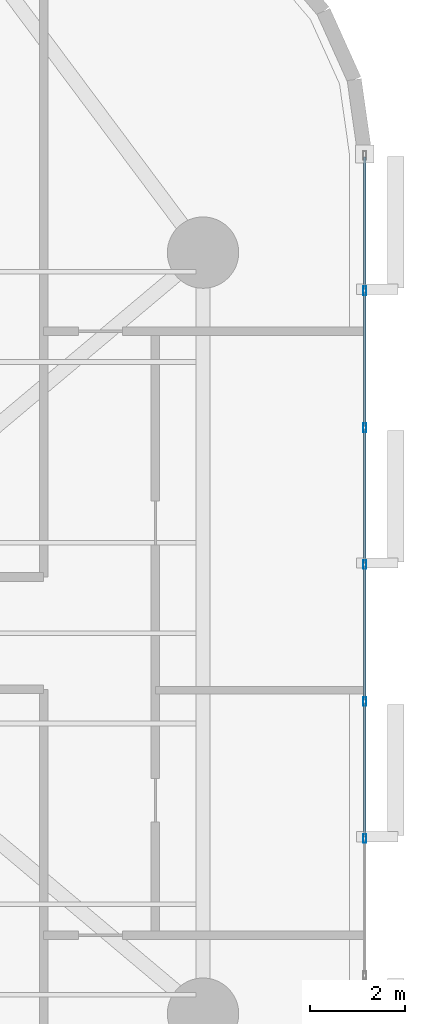
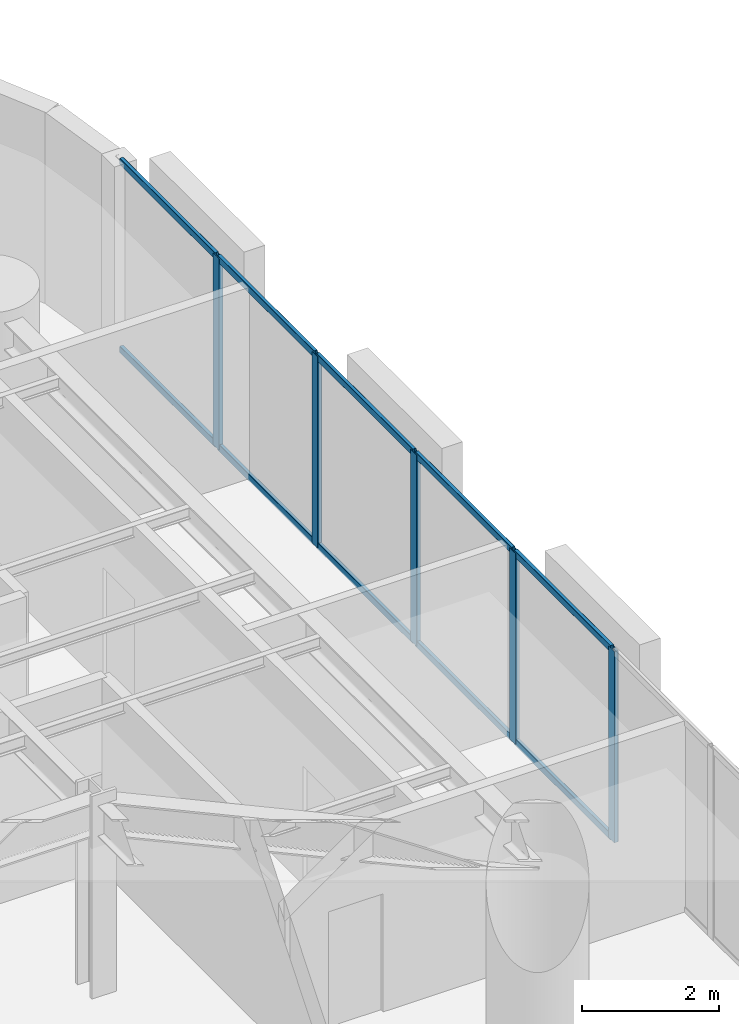
# One storey, part 6 of 16: 15 members, 1 element without a shape of its own.
"""IFC4 building model written with IfcOpenShell, lengths in metres."""

import ifcopenshell
import ifcopenshell.guid

model = None  # the IFC model being written
_history = None  # IfcOwnerHistory: only IFC2X3 demands one
_inside = {}  # id of a spatial element -> (the spatial element, [elements in it])
_under = {}  # id of a project, library or spatial element -> (it, [spatial elements below it])
_declared = {}  # id of a project -> (the project, [libraries it declares])
_typed = {}  # id of a type object -> (the type object, [elements of that type])
_made_of = {}  # id of a material, layer set ... -> (it, [elements and type objects made of it])


def new_model(schema):
    """Start an empty IFC model of exactly this schema.

    Asked for "IFC4X3", IfcOpenShell would pick the latest addendum, in which some entities
    have other attributes; the version numbers below select the first issue.
    IFC2X3 requires an IfcOwnerHistory on every rooted entity: one is made here for all.
    """
    global model, _history
    if schema == "IFC4X3":
        model = ifcopenshell.file(schema_version=(4, 3, 0, 0))
    else:
        model = ifcopenshell.file(schema=schema)
    _inside.clear()
    _under.clear()
    _declared.clear()
    _typed.clear()
    _made_of.clear()
    _history = None
    if model.schema == "IFC2X3":
        org = make("IfcOrganization", Name="unknown")
        user = make(
            "IfcPersonAndOrganization",
            ThePerson=make("IfcPerson", FamilyName="unknown"),
            TheOrganization=org,
        )
        app = make(
            "IfcApplication",
            ApplicationDeveloper=org,
            Version="unknown",
            ApplicationFullName="unknown",
            ApplicationIdentifier="unknown",
        )
        _history = make(
            "IfcOwnerHistory",
            OwningUser=user,
            OwningApplication=app,
            ChangeAction="ADDED",
            CreationDate=0,
        )
    return model


def make(cls, **values):
    """One entity of the class cls with the attributes given. An attribute that is None is left unset."""
    return model.create_entity(
        cls, **{name: value for name, value in values.items() if value is not None}
    )


def rooted(cls, **values):
    """An entity with a GlobalId (a new one), such as an element, a storey or a relation."""
    return make(cls, GlobalId=ifcopenshell.guid.new(), OwnerHistory=_history, **values)


def si_unit(unit_type, name, prefix=None):
    """IfcSIUnit, for example si_unit("LENGTHUNIT", "METRE", prefix="MILLI")."""
    return make("IfcSIUnit", UnitType=unit_type, Prefix=prefix, Name=name)


def assignment(units):
    """IfcUnitAssignment: the units of a project."""
    return None if units is None else make("IfcUnitAssignment", Units=units)


def point(xyz):
    """IfcCartesianPoint."""
    return None if xyz is None else make("IfcCartesianPoint", Coordinates=xyz)


def direction(xyz):
    """IfcDirection."""
    return None if xyz is None else make("IfcDirection", DirectionRatios=xyz)


def frame(location, z_axis=None, x_axis=None):
    """IfcAxis2Placement3D, a coordinate frame: its origin and axes. An axis left out is left unset."""
    return make(
        "IfcAxis2Placement3D",
        Location=point(location),
        Axis=direction(z_axis),
        RefDirection=direction(x_axis),
    )


def frame_2d(location, x_axis=None):
    """IfcAxis2Placement2D, a coordinate frame in the plane: its origin and x axis."""
    return make(
        "IfcAxis2Placement2D", Location=point(location), RefDirection=direction(x_axis)
    )


def origin():
    """The frame at (0, 0, 0) with its axes left unset."""
    return frame((0.0, 0.0, 0.0))


def origin_2d():
    """The frame at (0, 0) in the plane with its x axis left unset."""
    return frame_2d((0.0, 0.0))


def place(relative_to, where):
    """IfcLocalPlacement: puts the frame where relative to a parent placement (None: the world)."""
    return make(
        "IfcLocalPlacement", PlacementRelTo=relative_to, RelativePlacement=where
    )


def context(
    kind, dimensions, precision=None, world=None, true_north=None, identifier=None
):
    """IfcGeometricRepresentationContext, for example the 3D "Model" context."""
    return make(
        "IfcGeometricRepresentationContext",
        ContextIdentifier=identifier,
        ContextType=kind,
        CoordinateSpaceDimension=dimensions,
        Precision=precision,
        WorldCoordinateSystem=world,
        TrueNorth=true_north,
    )


def subcontext(parent, identifier, kind, view, scale=None):
    """IfcGeometricRepresentationSubContext, for example "Body" below "Model"."""
    return make(
        "IfcGeometricRepresentationSubContext",
        ContextIdentifier=identifier,
        ContextType=kind,
        ParentContext=parent,
        TargetScale=scale,
        TargetView=view,
    )


def project(units=None, contexts=None):
    """IfcProject with its units and contexts."""
    return rooted(
        "IfcProject",
        Name="project",
        RepresentationContexts=contexts,
        UnitsInContext=assignment(units),
    )


def spatial(cls, under=None, at=None, **own):
    """A site, building, storey or space (cls), placed at a placement, below another one or the project."""
    s = rooted(cls, ObjectPlacement=at, **own)
    if under is not None:
        _under.setdefault(under.id(), (under, []))[1].append(s)
    return s


def profile(cls, at=None, kind="AREA", **sizes):
    """A parametric profile (cls). Its sizes go by their IFC names, for example OverallWidth=200.0."""
    return make(cls, ProfileType=kind, Position=at, **sizes)


def hollow_rectangle(**sizes):
    """IfcRectangleHollowProfileDef."""
    return profile("IfcRectangleHollowProfileDef", **sizes)


def extrude(swept, where, along, depth):
    """IfcExtrudedAreaSolid: the profile swept, set in the frame where, extruded along a direction by depth."""
    return make(
        "IfcExtrudedAreaSolid",
        SweptArea=swept,
        Position=where,
        ExtrudedDirection=direction(along),
        Depth=depth,
    )


def shape(context_of_items, identifier, shape_type, items):
    """IfcShapeRepresentation: the items that make up one representation, for example the "Body"."""
    return make(
        "IfcShapeRepresentation",
        ContextOfItems=context_of_items,
        RepresentationIdentifier=identifier,
        RepresentationType=shape_type,
        Items=items,
    )


def material(Name=None, Category=None):
    """IfcMaterial."""
    return make("IfcMaterial", Name=Name, Category=Category)


def layer(
    of_material, thickness, ventilated=None, Name=None, Category=None, Priority=None
):
    """IfcMaterialLayer: one layer of a wall or slab, of a material (None: an air gap)."""
    return make(
        "IfcMaterialLayer",
        Material=of_material,
        LayerThickness=thickness,
        IsVentilated=ventilated,
        Name=Name,
        Category=Category,
        Priority=Priority,
    )


def layer_set(layers, Name=None):
    """IfcMaterialLayerSet."""
    return make("IfcMaterialLayerSet", MaterialLayers=layers, LayerSetName=Name)


def material_profile(
    of_material, cross_section, Name=None, Category=None, Priority=None
):
    """IfcMaterialProfile: a cross section and its material."""
    return make(
        "IfcMaterialProfile",
        Name=Name,
        Material=of_material,
        Profile=cross_section,
        Priority=Priority,
        Category=Category,
    )


def profile_set(profiles, Name=None, composite=None):
    """IfcMaterialProfileSet."""
    return make(
        "IfcMaterialProfileSet",
        Name=Name,
        MaterialProfiles=profiles,
        CompositeProfile=composite,
    )


def made_of(thing, what):
    """Note that an element or type object is made of a material, layer set ...; save() writes the relation."""
    if what is not None:
        _made_of.setdefault(what.id(), (what, []))[1].append(thing)
    return thing


def type_object(cls, material=None, **own):
    """A type object (cls), such as IfcWallType, which elements share."""
    return made_of(rooted(cls, **own), material)


def element(
    cls,
    number,
    at=None,
    inside=None,
    cuts=None,
    type_object=None,
    material=None,
    context=None,
    identifier="Body",
    shape_type=None,
    held_by="IfcProductDefinitionShape",
    body=None,
    shapes=None,
    **own,
):
    """One element of the class cls, such as IfcWall. Its Tag is "e" and its number.

    at: its placement. inside: the storey or other place that contains it. cuts: it is an
    opening in that element (IfcRelVoidsElement). A single representation is given by context,
    identifier, shape_type and body (its items); several are given by shapes. held_by: the class
    of the entity that holds the representations. save() writes the other relations.
    """
    e = rooted(cls, Tag="e%d" % number, ObjectPlacement=at, **own)
    if body is not None:
        shapes = [shape(context, identifier, shape_type, body)]
    if shapes is not None:
        e.Representation = make(held_by, Representations=shapes)
    if inside is not None:
        _inside.setdefault(inside.id(), (inside, []))[1].append(e)
    if cuts is not None:
        rooted(
            "IfcRelVoidsElement", RelatingBuildingElement=cuts, RelatedOpeningElement=e
        )
    if type_object is not None:
        _typed.setdefault(type_object.id(), (type_object, []))[1].append(e)
    return made_of(e, material)


def aggregate(whole, parts):
    """IfcRelAggregates: a whole, such as a stair, and the parts it consists of."""
    return rooted("IfcRelAggregates", RelatingObject=whole, RelatedObjects=parts)


def save(model, path):
    """Write the relations noted so far, then the file.

    IfcRelAggregates (storeys below a building ...), IfcRelContainedInSpatialStructure (elements
    in a storey), IfcRelDefinesByType, IfcRelAssociatesMaterial and IfcRelDeclares: one each for
    every whole, place, type object, material and project.
    """
    for whole, parts in _under.values():
        aggregate(whole, parts)
    for where, things in _inside.values():
        rooted(
            "IfcRelContainedInSpatialStructure",
            RelatedElements=things,
            RelatingStructure=where,
        )
    for kind, things in _typed.values():
        rooted("IfcRelDefinesByType", RelatedObjects=things, RelatingType=kind)
    for what, things in _made_of.values():
        rooted("IfcRelAssociatesMaterial", RelatedObjects=things, RelatingMaterial=what)
    for by, libraries in _declared.values():
        rooted("IfcRelDeclares", RelatingContext=by, RelatedDefinitions=libraries)
    model.write(path)


model = new_model("IFC4")

# Units and contexts
model_context = context("Model", 3, precision=1e-05, world=origin(), true_north=direction((0.0, 1.0)))
body_context = subcontext(model_context, "Body", "Model", "MODEL_VIEW")
ifc_project = project(units=[si_unit("LENGTHUNIT", "METRE"), si_unit("AREAUNIT", "SQUARE_METRE"), si_unit("VOLUMEUNIT", "CUBIC_METRE"), si_unit("PLANEANGLEUNIT", "RADIAN"), si_unit("MASSUNIT", "GRAM", prefix="KILO")], contexts=[model_context])

# Site, building, storey
site_placement = place(None, origin())
site = spatial("IfcSite", under=ifc_project, at=site_placement, CompositionType="ELEMENT")
building_placement = place(site_placement, origin())
building = spatial("IfcBuilding", under=site, at=building_placement, Name="An Khanh Terracotta Commons", CompositionType="ELEMENT")
storey_placement = place(building_placement, frame((0.0, 0.0, 54.0)))
storey = spatial("IfcBuildingStorey", under=building, at=storey_placement, Name="L14", CompositionType="ELEMENT", Elevation=54.0)

# Curtain wall, members
ifc_material = material(Name="Anodised Aluminium 6063-T6", Category="aluminium")
ifc_layer = layer(ifc_material, 0.199951171875, Name="Anodised Aluminium 6063-T6")
ifc_layer_set = layer_set([ifc_layer], Name="Anodised Aluminium 6063-T6")
curtain_wall_type = type_object("IfcCurtainWallType", Name="CW-SYS-02", PredefinedType="USERDEFINED", material=ifc_layer_set)
curtain_wall_placement = place(storey_placement, origin())
curtain_wall = element("IfcCurtainWall", 1, at=curtain_wall_placement, inside=storey, type_object=curtain_wall_type, Name="L14 CW-02 Unitised Curtain Wall CW-L14-12", ObjectType="UNITISED CURTAIN WALL", PredefinedType="USERDEFINED")
ifc_material_profile_1 = material_profile(ifc_material, hollow_rectangle(XDim=0.070068359375, YDim=0.179931640625, WallThickness=0.00390625, InnerFilletRadius=0.00390625, OuterFilletRadius=0.008056640625, at=origin_2d()), Name="RHS180x70x4")
ifc_profile_set_1 = profile_set([ifc_material_profile_1], Name="Anodised Aluminium 6063-T6")
member_type_1 = type_object("IfcMemberType", Name="CWM-RHS180x70x4", PredefinedType="MULLION", material=ifc_profile_set_1)
member_1_placement = place(storey_placement, frame((51.60009765625, 19.681396484375, 0.0), z_axis=(0.0, 0.0, 1.0), x_axis=(-1.0, 0.0, 0.0)))
member_1 = element("IfcMember", 2, at=member_1_placement, type_object=member_type_1, Name="CW-02 mullion 3", PredefinedType="MULLION", context=body_context, shape_type="SweptSolid", body=[
    extrude(hollow_rectangle(XDim=0.070068359375, YDim=0.179931640625, WallThickness=0.00390625, InnerFilletRadius=0.00390625, OuterFilletRadius=0.008056640625, at=origin_2d()), origin(), (0.0, 0.0, 1.0), 3.39990234375),
])
member_2_placement = place(storey_placement, frame((51.60009765625, 22.560546875, 0.0), z_axis=(0.0, 0.0, 1.0), x_axis=(-1.0, 0.0, 0.0)))
member_2 = element("IfcMember", 3, at=member_2_placement, type_object=member_type_1, Name="CW-02 mullion 4", PredefinedType="MULLION", context=body_context, shape_type="SweptSolid", body=[
    extrude(hollow_rectangle(XDim=0.070068359375, YDim=0.179931640625, WallThickness=0.00390625, InnerFilletRadius=0.00390625, OuterFilletRadius=0.008056640625, at=origin_2d()), origin(), (0.0, 0.0, 1.0), 3.39990234375),
])
member_3_placement = place(storey_placement, frame((51.60009765625, 25.439453125, 0.0), z_axis=(0.0, 0.0, 1.0), x_axis=(-1.0, 0.0, 0.0)))
member_3 = element("IfcMember", 4, at=member_3_placement, type_object=member_type_1, Name="CW-02 mullion 5", PredefinedType="MULLION", context=body_context, shape_type="SweptSolid", body=[
    extrude(hollow_rectangle(XDim=0.070068359375, YDim=0.179931640625, WallThickness=0.00390625, InnerFilletRadius=0.00390625, OuterFilletRadius=0.008056640625, at=origin_2d()), origin(), (0.0, 0.0, 1.0), 3.39990234375),
])
member_4_placement = place(storey_placement, frame((51.60009765625, 28.318603515625, 0.0), z_axis=(0.0, 0.0, 1.0), x_axis=(-1.0, 0.0, 0.0)))
member_4 = element("IfcMember", 5, at=member_4_placement, type_object=member_type_1, Name="CW-02 mullion 6", PredefinedType="MULLION", context=body_context, shape_type="SweptSolid", body=[
    extrude(hollow_rectangle(XDim=0.070068359375, YDim=0.179931640625, WallThickness=0.00390625, InnerFilletRadius=0.00390625, OuterFilletRadius=0.008056640625, at=origin_2d()), origin(), (0.0, 0.0, 1.0), 3.39990234375),
])
member_5_placement = place(storey_placement, frame((51.60009765625, 31.19775390625, 0.0), z_axis=(0.0, 0.0, 1.0), x_axis=(-1.0, 0.0, 0.0)))
member_5 = element("IfcMember", 6, at=member_5_placement, type_object=member_type_1, Name="CW-02 mullion 7", PredefinedType="MULLION", context=body_context, shape_type="SweptSolid", body=[
    extrude(hollow_rectangle(XDim=0.070068359375, YDim=0.179931640625, WallThickness=0.00390625, InnerFilletRadius=0.00390625, OuterFilletRadius=0.008056640625, at=origin_2d()), origin(), (0.0, 0.0, 1.0), 3.39990234375),
])
ifc_material_profile_2 = material_profile(ifc_material, hollow_rectangle(XDim=0.06005859375, YDim=0.1201171875, WallThickness=0.003662109375, InnerFilletRadius=0.003662109375, OuterFilletRadius=0.007080078125, at=origin_2d()), Name="RHS120x60x3.6")
ifc_profile_set_2 = profile_set([ifc_material_profile_2], Name="Anodised Aluminium 6063-T6")
member_type_2 = type_object("IfcMemberType", Name="CWT-RHS120x60x3.6", PredefinedType="USERDEFINED", material=ifc_profile_set_2)
member_6_placement = place(storey_placement, frame((51.60009765625, 19.71630859375, 0.030029296875), z_axis=(0.0, 1.0, 0.0), x_axis=(-1.0, 0.0, 0.0)))
member_6 = element("IfcMember", 7, at=member_6_placement, type_object=member_type_2, Name="CW-02 transom 3.1", ObjectType="TRANSOM", PredefinedType="USERDEFINED", context=body_context, shape_type="SweptSolid", body=[
    extrude(hollow_rectangle(XDim=0.06005859375, YDim=0.1201171875, WallThickness=0.003662109375, InnerFilletRadius=0.003662109375, OuterFilletRadius=0.007080078125, at=origin_2d()), origin(), (0.0, 0.0, 1.0), 2.80908203125),
])
member_7_placement = place(storey_placement, frame((51.60009765625, 19.71630859375, 3.3701171875), z_axis=(0.0, 1.0, 0.0), x_axis=(-1.0, 0.0, 0.0)))
member_7 = element("IfcMember", 8, at=member_7_placement, type_object=member_type_2, Name="CW-02 transom 3.2", ObjectType="TRANSOM", PredefinedType="USERDEFINED", context=body_context, shape_type="SweptSolid", body=[
    extrude(hollow_rectangle(XDim=0.06005859375, YDim=0.1201171875, WallThickness=0.003662109375, InnerFilletRadius=0.003662109375, OuterFilletRadius=0.007080078125, at=origin_2d()), origin(), (0.0, 0.0, 1.0), 2.80908203125),
])
member_8_placement = place(storey_placement, frame((51.60009765625, 22.595458984375, 0.030029296875), z_axis=(0.0, 1.0, 0.0), x_axis=(-1.0, 0.0, 0.0)))
member_8 = element("IfcMember", 9, at=member_8_placement, type_object=member_type_2, Name="CW-02 transom 4.1", ObjectType="TRANSOM", PredefinedType="USERDEFINED", context=body_context, shape_type="SweptSolid", body=[
    extrude(hollow_rectangle(XDim=0.06005859375, YDim=0.1201171875, WallThickness=0.003662109375, InnerFilletRadius=0.003662109375, OuterFilletRadius=0.007080078125, at=origin_2d()), origin(), (0.0, 0.0, 1.0), 2.80908203125),
])
member_9_placement = place(storey_placement, frame((51.60009765625, 22.595458984375, 3.3701171875), z_axis=(0.0, 1.0, 0.0), x_axis=(-1.0, 0.0, 0.0)))
member_9 = element("IfcMember", 10, at=member_9_placement, type_object=member_type_2, Name="CW-02 transom 4.2", ObjectType="TRANSOM", PredefinedType="USERDEFINED", context=body_context, shape_type="SweptSolid", body=[
    extrude(hollow_rectangle(XDim=0.06005859375, YDim=0.1201171875, WallThickness=0.003662109375, InnerFilletRadius=0.003662109375, OuterFilletRadius=0.007080078125, at=origin_2d()), origin(), (0.0, 0.0, 1.0), 2.80908203125),
])
member_10_placement = place(storey_placement, frame((51.60009765625, 25.474609375, 0.030029296875), z_axis=(0.0, 1.0, 0.0), x_axis=(-1.0, 0.0, 0.0)))
member_10 = element("IfcMember", 11, at=member_10_placement, type_object=member_type_2, Name="CW-02 transom 5.1", ObjectType="TRANSOM", PredefinedType="USERDEFINED", context=body_context, shape_type="SweptSolid", body=[
    extrude(hollow_rectangle(XDim=0.06005859375, YDim=0.1201171875, WallThickness=0.003662109375, InnerFilletRadius=0.003662109375, OuterFilletRadius=0.007080078125, at=origin_2d()), origin(), (0.0, 0.0, 1.0), 2.80908203125),
])
member_11_placement = place(storey_placement, frame((51.60009765625, 25.474609375, 3.3701171875), z_axis=(0.0, 1.0, 0.0), x_axis=(-1.0, 0.0, 0.0)))
member_11 = element("IfcMember", 12, at=member_11_placement, type_object=member_type_2, Name="CW-02 transom 5.2", ObjectType="TRANSOM", PredefinedType="USERDEFINED", context=body_context, shape_type="SweptSolid", body=[
    extrude(hollow_rectangle(XDim=0.06005859375, YDim=0.1201171875, WallThickness=0.003662109375, InnerFilletRadius=0.003662109375, OuterFilletRadius=0.007080078125, at=origin_2d()), origin(), (0.0, 0.0, 1.0), 2.80908203125),
])
member_12_placement = place(storey_placement, frame((51.60009765625, 28.353759765625, 0.030029296875), z_axis=(0.0, 1.0, 0.0), x_axis=(-1.0, 0.0, 0.0)))
member_12 = element("IfcMember", 13, at=member_12_placement, type_object=member_type_2, Name="CW-02 transom 6.1", ObjectType="TRANSOM", PredefinedType="USERDEFINED", context=body_context, shape_type="SweptSolid", body=[
    extrude(hollow_rectangle(XDim=0.06005859375, YDim=0.1201171875, WallThickness=0.003662109375, InnerFilletRadius=0.003662109375, OuterFilletRadius=0.007080078125, at=origin_2d()), origin(), (0.0, 0.0, 1.0), 2.80908203125),
])
member_13_placement = place(storey_placement, frame((51.60009765625, 28.353759765625, 3.3701171875), z_axis=(0.0, 1.0, 0.0), x_axis=(-1.0, 0.0, 0.0)))
member_13 = element("IfcMember", 14, at=member_13_placement, type_object=member_type_2, Name="CW-02 transom 6.2", ObjectType="TRANSOM", PredefinedType="USERDEFINED", context=body_context, shape_type="SweptSolid", body=[
    extrude(hollow_rectangle(XDim=0.06005859375, YDim=0.1201171875, WallThickness=0.003662109375, InnerFilletRadius=0.003662109375, OuterFilletRadius=0.007080078125, at=origin_2d()), origin(), (0.0, 0.0, 1.0), 2.80908203125),
])
member_14_placement = place(storey_placement, frame((51.60009765625, 31.23291015625, 0.030029296875), z_axis=(0.0, 1.0, 0.0), x_axis=(-1.0, 0.0, 0.0)))
member_14 = element("IfcMember", 15, at=member_14_placement, type_object=member_type_2, Name="CW-02 transom 7.1", ObjectType="TRANSOM", PredefinedType="USERDEFINED", context=body_context, shape_type="SweptSolid", body=[
    extrude(hollow_rectangle(XDim=0.06005859375, YDim=0.1201171875, WallThickness=0.003662109375, InnerFilletRadius=0.003662109375, OuterFilletRadius=0.007080078125, at=origin_2d()), origin(), (0.0, 0.0, 1.0), 2.774169921875),
])
member_15_placement = place(storey_placement, frame((51.60009765625, 31.23291015625, 3.3701171875), z_axis=(0.0, 1.0, 0.0), x_axis=(-1.0, 0.0, 0.0)))
member_15 = element("IfcMember", 16, at=member_15_placement, type_object=member_type_2, Name="CW-02 transom 7.2", ObjectType="TRANSOM", PredefinedType="USERDEFINED", context=body_context, shape_type="SweptSolid", body=[
    extrude(hollow_rectangle(XDim=0.06005859375, YDim=0.1201171875, WallThickness=0.003662109375, InnerFilletRadius=0.003662109375, OuterFilletRadius=0.007080078125, at=origin_2d()), origin(), (0.0, 0.0, 1.0), 2.774169921875),
])
aggregate(curtain_wall, [member_1, member_2, member_3, member_4, member_5, member_6, member_7, member_8, member_9, member_10, member_11, member_12, member_13, member_14, member_15])

save(model, "model.ifc")
